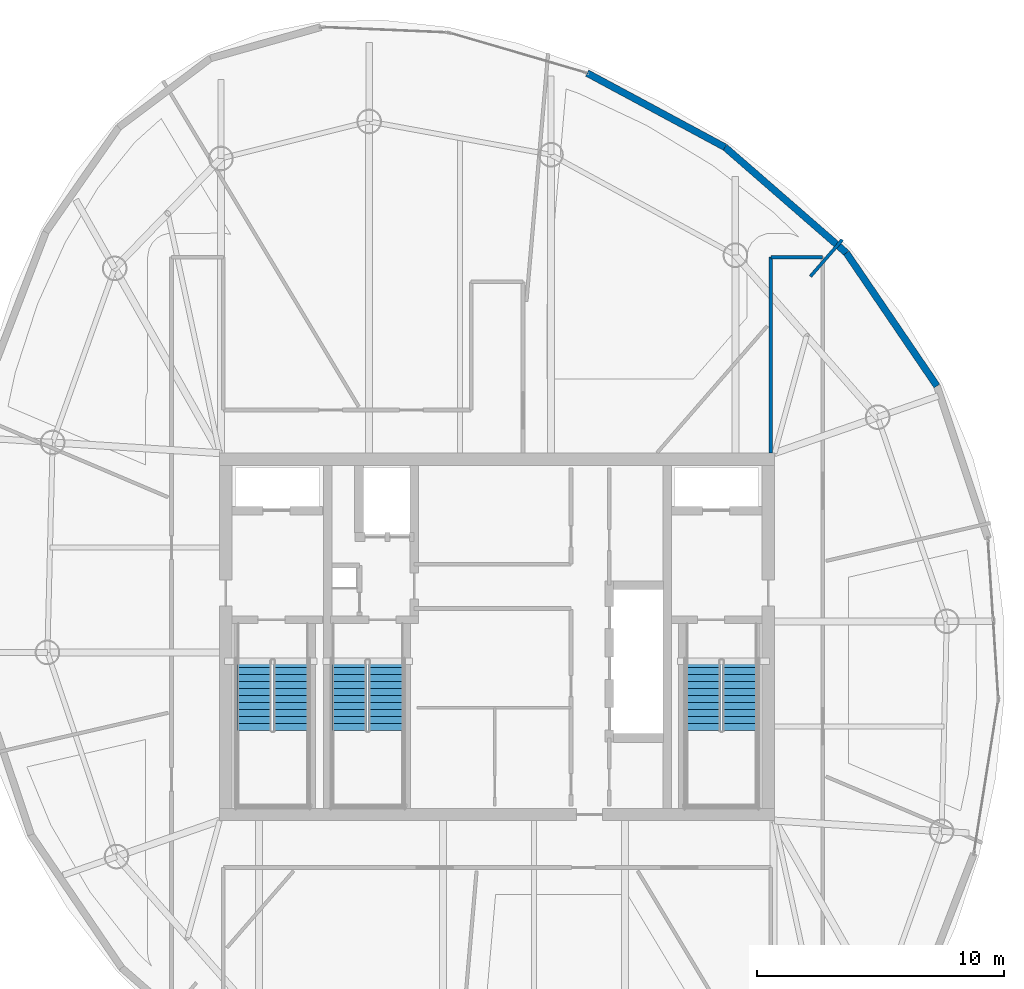
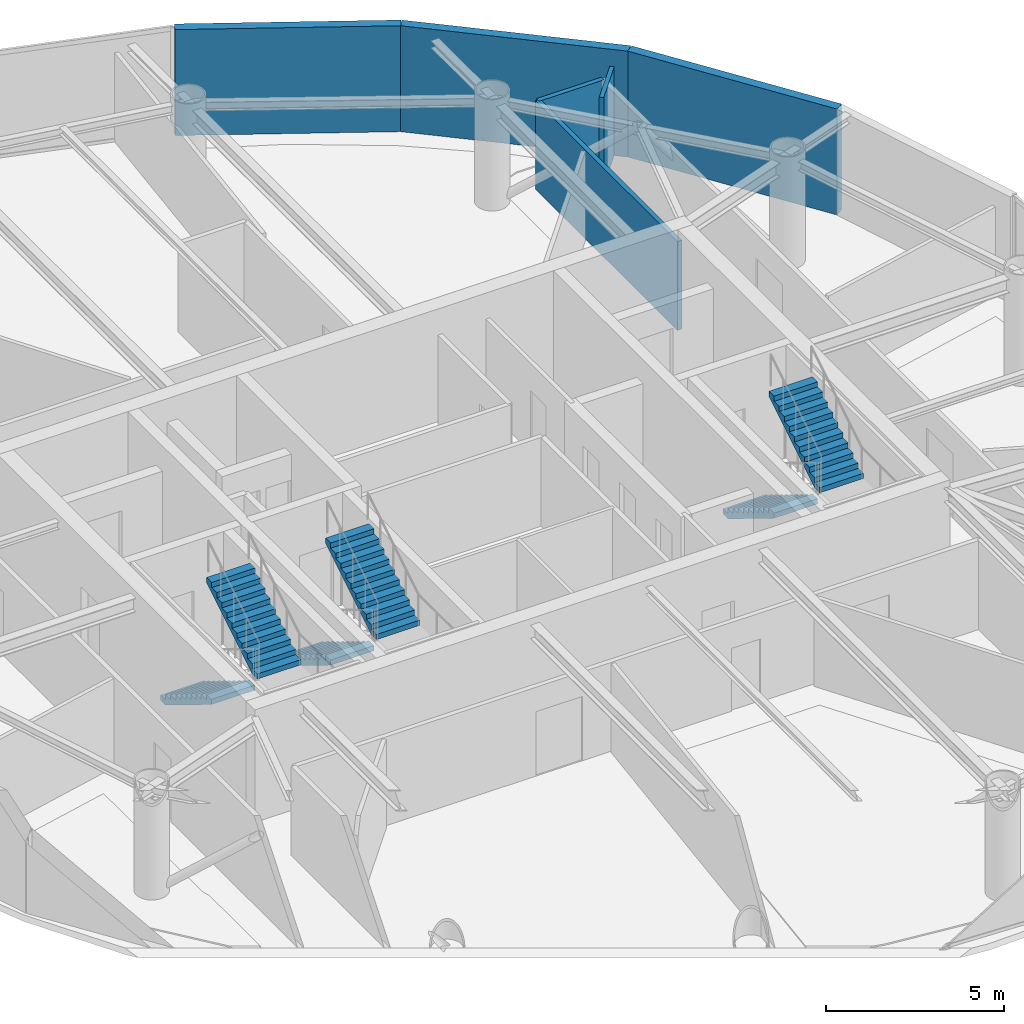
# One storey, part 15 of 18: 6 stair flights, 6 walls, 3 elements without a shape of their own.
"""IFC4 building model written with IfcOpenShell, lengths in metres."""

from ifc_helpers import new_model, si_unit, direction, frame, frame_2d, origin, place, context, subcontext, project, spatial, polyline, rectangle, outline, extrude, material, layer, layer_set, type_object, element, aggregate, save


model = new_model("IFC4")

# Units and contexts
model_context = context("Model", 3, precision=1e-05, world=origin(), true_north=direction((0.0, 1.0)))
body_context = subcontext(model_context, "Body", "Model", "MODEL_VIEW")
ifc_project = project(units=[si_unit("LENGTHUNIT", "METRE"), si_unit("AREAUNIT", "SQUARE_METRE"), si_unit("VOLUMEUNIT", "CUBIC_METRE"), si_unit("PLANEANGLEUNIT", "RADIAN"), si_unit("MASSUNIT", "GRAM", prefix="KILO")], contexts=[model_context])

# Site, building, storey
site_placement = place(None, origin())
site = spatial("IfcSite", under=ifc_project, at=site_placement, CompositionType="ELEMENT")
building_placement = place(site_placement, origin())
building = spatial("IfcBuilding", under=site, at=building_placement, Name="Bramvorn Convention Spire", CompositionType="ELEMENT")
storey_placement = place(building_placement, frame((0.0, 0.0, 288.25)))
storey = spatial("IfcBuildingStorey", under=building, at=storey_placement, Name="L73", CompositionType="ELEMENT", Elevation=288.25)

# Walls
ifc_material_1 = material(Name="Precast Concrete C40/50 with Bronze Terracotta Rainscreen", Category="masonry")
ifc_layer_1 = layer(ifc_material_1, 0.300048828125)
ifc_layer_set_1 = layer_set([ifc_layer_1], Name="Precast Concrete C40/50 with Bronze Terracotta Rainscreen - WL-EXT-BRONZE-300")
wall_type_1 = type_object("IfcWallType", Name="WL-EXT-BRONZE-300", PredefinedType="SOLIDWALL", material=ifc_layer_set_1)
wall_1_placement = place(storey_placement, frame((52.164306640625, 41.56982421875, 0.0), z_axis=(0.0, 0.0, 1.0), x_axis=(0.562539179248, -0.826770628295, 0.0)))
element("IfcWall", 1, at=wall_1_placement, inside=storey, type_object=wall_type_1, Name="L73 expressed bronze Gothic lancet pier wall 07", PredefinedType="SOLIDWALL", context=body_context, shape_type="SweptSolid", body=[
    extrude(rectangle(XDim=6.52685546875, YDim=0.280029296875, at=frame_2d((3.263427734375, 0.0))), origin(), (0.0, 0.0, 1.0), 3.625),
])
wall_2_placement = place(storey_placement, frame((47.2421875, 45.85498046875, 0.0), z_axis=(0.0, 0.0, 1.0), x_axis=(0.754222031982, -0.656619468546, 0.0)))
element("IfcWall", 2, at=wall_2_placement, inside=storey, type_object=wall_type_1, Name="L73 expressed bronze Gothic lancet pier wall 08", PredefinedType="SOLIDWALL", context=body_context, shape_type="SweptSolid", body=[
    extrude(rectangle(XDim=6.526123046875, YDim=0.280029296875, at=frame_2d((3.26318359375, 0.0))), origin(), (0.0, 0.0, 1.0), 3.625),
])
wall_3_placement = place(storey_placement, frame((41.65380859375, 48.860595703125, 0.0), z_axis=(0.0, 0.0, 1.0), x_axis=(0.880702024307, -0.473670713029, 0.0)))
element("IfcWall", 3, at=wall_3_placement, inside=storey, type_object=wall_type_1, Name="L73 expressed bronze Gothic lancet pier wall 09", PredefinedType="SOLIDWALL", context=body_context, shape_type="SweptSolid", body=[
    extrude(rectangle(XDim=6.345458984375, YDim=0.280029296875, at=frame_2d((3.1728515625, 0.0))), origin(), (0.0, 0.0, 1.0), 3.625),
])
ifc_material_2 = material(Name="Metal-Stud Demountable Office Partition", Category="gypsum")
ifc_layer_2 = layer(ifc_material_2, 0.1298828125)
ifc_layer_set_2 = layer_set([ifc_layer_2], Name="Metal-Stud Demountable Office Partition - WL-PART-130")
wall_type_2 = type_object("IfcWallType", Name="WL-PART-130", PredefinedType="PARTITIONING", material=ifc_layer_set_2)
wall_4_placement = place(storey_placement, frame((50.705810546875, 40.6162109375, 0.0), z_axis=(0.0, 0.0, 1.0), x_axis=(0.656009996887, 0.754752200384, 0.0)))
element("IfcWall", 4, at=wall_4_placement, inside=storey, type_object=wall_type_2, Name="L73 Tenant suite partition 2", PredefinedType="PARTITIONING", context=body_context, shape_type="SweptSolid", body=[
    extrude(rectangle(XDim=1.970703125, YDim=0.1298828125, at=frame_2d((0.9853515625, 0.0))), origin(), (0.0, 0.0, 1.0), 3.0400390625),
])
ifc_material_3 = material(Name="Acoustic Metal-Stud Tenant/Corridor Partition", Category="gypsum")
ifc_layer_3 = layer(ifc_material_3, 0.14990234375)
ifc_layer_set_3 = layer_set([ifc_layer_3], Name="Acoustic Metal-Stud Tenant/Corridor Partition - WL-PART-150")
wall_type_3 = type_object("IfcWallType", Name="WL-PART-150", PredefinedType="PARTITIONING", material=ifc_layer_set_3)
wall_5_placement = place(storey_placement, frame((49.10009765625, 33.449951171875, 0.0), z_axis=(0.0, 0.0, 1.0), x_axis=(0.0, 1.0, 0.0)))
element("IfcWall", 5, at=wall_5_placement, inside=storey, type_object=wall_type_3, Name="L73 East gallery NW wall", PredefinedType="PARTITIONING", context=body_context, shape_type="SweptSolid", body=[
    extrude(rectangle(XDim=7.949951171875, YDim=0.14990234375, at=frame_2d((3.97509765625, 0.0))), origin(), (0.0, 0.0, 1.0), 3.0400390625),
])
wall_6_placement = place(storey_placement, frame((49.10009765625, 41.39990234375, 0.0), z_axis=(0.0, 0.0, 1.0), x_axis=(1.0, 0.0, 0.0)))
element("IfcWall", 6, at=wall_6_placement, inside=storey, type_object=wall_type_3, Name="L73 East gallery north end", PredefinedType="PARTITIONING", context=body_context, shape_type="SweptSolid", body=[
    extrude(rectangle(XDim=2.099853515625, YDim=0.14990234375, at=frame_2d((1.0498046875, 0.0))), origin(), (0.0, 0.0, 1.0), 3.0400390625),
])

# Stair, stair flights
ifc_material_4 = material(Name="Concrete C40/50 Precast Stair", Category="concrete")
stair_type = type_object("IfcStairType", Name="ST-TOWER-1550", PredefinedType="HALF_TURN_STAIR", material=ifc_material_4)
stair_1_placement = place(storey_placement, origin())
stair_1 = element("IfcStair", 7, at=stair_1_placement, inside=storey, type_object=stair_type, Name="L73 Protected Exit Stair ST1", PredefinedType="HALF_TURN_STAIR")
ifc_material_5 = material(Name="Concrete C40/50 Precast Stair Flight", Category="concrete")
stair_flight_type = type_object("IfcStairFlightType", Name="STF-TOWER-1550", PredefinedType="STRAIGHT", material=ifc_material_5)
stair_flight_1_placement = place(storey_placement, frame((28.155029296875, 25.050048828125, 0.0), z_axis=(0.0, 0.0, 1.0), x_axis=(0.0, -1.0, 0.0)))
stair_flight_1 = element("IfcStairFlight", 8, at=stair_flight_1_placement, type_object=stair_flight_type, Name="ST1 flight 1", NumberOfRisers=11, NumberOfTreads=10, PredefinedType="STRAIGHT", RiserHeight=0.175, TreadLength=0.285, context=body_context, shape_type="SweptSolid", body=[
    extrude(outline(polyline([(0.0, 0.0), (0.0, 0.175048828125), (0.284912109375, 0.175048828125), (0.284912109375, 0.35009765625), (0.570068359375, 0.35009765625), (0.570068359375, 0.52490234375), (0.85498046875, 0.52490234375), (0.85498046875, 0.699951171875), (1.139892578125, 0.699951171875), (1.139892578125, 0.875), (1.425048828125, 0.875), (1.425048828125, 1.050048828125), (1.7099609375, 1.050048828125), (1.7099609375, 1.22509765625), (1.9951171875, 1.22509765625), (1.9951171875, 1.39990234375), (2.280029296875, 1.39990234375), (2.280029296875, 1.574951171875), (2.56494140625, 1.574951171875), (2.56494140625, 1.75), (2.85009765625, 1.75), (2.85009765625, 1.925048828125), (2.85009765625, 1.573974609375), (0.286376953125, 0.0), (0.0, 0.0)])), frame((0.0, 0.705078125, 0.0), z_axis=(0.0, -1.0, 0.0), x_axis=(1.0, 0.0, 0.0)), (0.0, 0.0, 1.0), 1.409912109375),
])
stair_flight_2_placement = place(storey_placement, frame((29.64501953125, 22.199951171875, 1.925048828125), z_axis=(0.0, 0.0, 1.0), x_axis=(0.0, 1.0, 0.0)))
stair_flight_2 = element("IfcStairFlight", 9, at=stair_flight_2_placement, type_object=stair_flight_type, Name="ST1 flight 2", NumberOfRisers=11, NumberOfTreads=10, PredefinedType="STRAIGHT", RiserHeight=0.175, TreadLength=0.285, context=body_context, shape_type="SweptSolid", body=[
    extrude(outline(polyline([(0.0, 0.0), (0.0, 0.175048828125), (0.284912109375, 0.175048828125), (0.284912109375, 0.35009765625), (0.570068359375, 0.35009765625), (0.570068359375, 0.52490234375), (0.85498046875, 0.52490234375), (0.85498046875, 0.699951171875), (1.139892578125, 0.699951171875), (1.139892578125, 0.875), (1.425048828125, 0.875), (1.425048828125, 1.050048828125), (1.7099609375, 1.050048828125), (1.7099609375, 1.22509765625), (1.9951171875, 1.22509765625), (1.9951171875, 1.39990234375), (2.280029296875, 1.39990234375), (2.280029296875, 1.574951171875), (2.56494140625, 1.574951171875), (2.56494140625, 1.75), (2.85009765625, 1.75), (2.85009765625, 1.925048828125), (2.85009765625, 1.573974609375), (0.286376953125, 0.0), (0.0, 0.0)])), frame((0.0, 0.705078125, 0.0), z_axis=(0.0, -1.0, 0.0), x_axis=(1.0, 0.0, 0.0)), (0.0, 0.0, 1.0), 1.409912109375),
])
aggregate(stair_1, [stair_flight_1, stair_flight_2])

stair_2_placement = place(storey_placement, origin())
stair_2 = element("IfcStair", 10, at=stair_2_placement, inside=storey, type_object=stair_type, Name="L73 Protected Exit Stair ST2", PredefinedType="HALF_TURN_STAIR")
stair_flight_3_placement = place(storey_placement, frame((46.35498046875, 25.050048828125, 0.0), z_axis=(0.0, 0.0, 1.0), x_axis=(0.0, -1.0, 0.0)))
stair_flight_3 = element("IfcStairFlight", 11, at=stair_flight_3_placement, type_object=stair_flight_type, Name="ST2 flight 1", NumberOfRisers=11, NumberOfTreads=10, PredefinedType="STRAIGHT", RiserHeight=0.175, TreadLength=0.285, context=body_context, shape_type="SweptSolid", body=[
    extrude(outline(polyline([(0.0, 0.0), (0.0, 0.175048828125), (0.284912109375, 0.175048828125), (0.284912109375, 0.35009765625), (0.570068359375, 0.35009765625), (0.570068359375, 0.52490234375), (0.85498046875, 0.52490234375), (0.85498046875, 0.699951171875), (1.139892578125, 0.699951171875), (1.139892578125, 0.875), (1.425048828125, 0.875), (1.425048828125, 1.050048828125), (1.7099609375, 1.050048828125), (1.7099609375, 1.22509765625), (1.9951171875, 1.22509765625), (1.9951171875, 1.39990234375), (2.280029296875, 1.39990234375), (2.280029296875, 1.574951171875), (2.56494140625, 1.574951171875), (2.56494140625, 1.75), (2.85009765625, 1.75), (2.85009765625, 1.925048828125), (2.85009765625, 1.573974609375), (0.286376953125, 0.0), (0.0, 0.0)])), frame((0.0, 0.705078125, 0.0), z_axis=(0.0, -1.0, 0.0), x_axis=(1.0, 0.0, 0.0)), (0.0, 0.0, 1.0), 1.409912109375),
])
stair_flight_4_placement = place(storey_placement, frame((47.844970703125, 22.199951171875, 1.925048828125), z_axis=(0.0, 0.0, 1.0), x_axis=(0.0, 1.0, 0.0)))
stair_flight_4 = element("IfcStairFlight", 12, at=stair_flight_4_placement, type_object=stair_flight_type, Name="ST2 flight 2", NumberOfRisers=11, NumberOfTreads=10, PredefinedType="STRAIGHT", RiserHeight=0.175, TreadLength=0.285, context=body_context, shape_type="SweptSolid", body=[
    extrude(outline(polyline([(0.0, 0.0), (0.0, 0.175048828125), (0.284912109375, 0.175048828125), (0.284912109375, 0.35009765625), (0.570068359375, 0.35009765625), (0.570068359375, 0.52490234375), (0.85498046875, 0.52490234375), (0.85498046875, 0.699951171875), (1.139892578125, 0.699951171875), (1.139892578125, 0.875), (1.425048828125, 0.875), (1.425048828125, 1.050048828125), (1.7099609375, 1.050048828125), (1.7099609375, 1.22509765625), (1.9951171875, 1.22509765625), (1.9951171875, 1.39990234375), (2.280029296875, 1.39990234375), (2.280029296875, 1.574951171875), (2.56494140625, 1.574951171875), (2.56494140625, 1.75), (2.85009765625, 1.75), (2.85009765625, 1.925048828125), (2.85009765625, 1.573974609375), (0.286376953125, 0.0), (0.0, 0.0)])), frame((0.0, 0.705078125, 0.0), z_axis=(0.0, -1.0, 0.0), x_axis=(1.0, 0.0, 0.0)), (0.0, 0.0, 1.0), 1.409912109375),
])
aggregate(stair_2, [stair_flight_3, stair_flight_4])

stair_3_placement = place(storey_placement, origin())
stair_3 = element("IfcStair", 13, at=stair_3_placement, inside=storey, type_object=stair_type, Name="L73 Protected Exit Stair ST3", PredefinedType="HALF_TURN_STAIR")
stair_flight_5_placement = place(storey_placement, frame((32.0048828125, 25.050048828125, 0.0), z_axis=(0.0, 0.0, 1.0), x_axis=(0.0, -1.0, 0.0)))
stair_flight_5 = element("IfcStairFlight", 14, at=stair_flight_5_placement, type_object=stair_flight_type, Name="ST3 flight 1", NumberOfRisers=11, NumberOfTreads=10, PredefinedType="STRAIGHT", RiserHeight=0.175, TreadLength=0.285, context=body_context, shape_type="SweptSolid", body=[
    extrude(outline(polyline([(0.0, 0.0), (0.0, 0.175048828125), (0.284912109375, 0.175048828125), (0.284912109375, 0.35009765625), (0.570068359375, 0.35009765625), (0.570068359375, 0.52490234375), (0.85498046875, 0.52490234375), (0.85498046875, 0.699951171875), (1.139892578125, 0.699951171875), (1.139892578125, 0.875), (1.425048828125, 0.875), (1.425048828125, 1.050048828125), (1.7099609375, 1.050048828125), (1.7099609375, 1.22509765625), (1.9951171875, 1.22509765625), (1.9951171875, 1.39990234375), (2.280029296875, 1.39990234375), (2.280029296875, 1.574951171875), (2.56494140625, 1.574951171875), (2.56494140625, 1.75), (2.85009765625, 1.75), (2.85009765625, 1.925048828125), (2.85009765625, 1.573974609375), (0.286376953125, 0.0), (0.0, 0.0)])), frame((0.0, 0.705078125, 0.0), z_axis=(0.0, -1.0, 0.0), x_axis=(1.0, 0.0, 0.0)), (0.0, 0.0, 1.0), 1.409912109375),
])
stair_flight_6_placement = place(storey_placement, frame((33.4951171875, 22.199951171875, 1.925048828125), z_axis=(0.0, 0.0, 1.0), x_axis=(0.0, 1.0, 0.0)))
stair_flight_6 = element("IfcStairFlight", 15, at=stair_flight_6_placement, type_object=stair_flight_type, Name="ST3 flight 2", NumberOfRisers=11, NumberOfTreads=10, PredefinedType="STRAIGHT", RiserHeight=0.175, TreadLength=0.285, context=body_context, shape_type="SweptSolid", body=[
    extrude(outline(polyline([(0.0, 0.0), (0.0, 0.175048828125), (0.284912109375, 0.175048828125), (0.284912109375, 0.35009765625), (0.570068359375, 0.35009765625), (0.570068359375, 0.52490234375), (0.85498046875, 0.52490234375), (0.85498046875, 0.699951171875), (1.139892578125, 0.699951171875), (1.139892578125, 0.875), (1.425048828125, 0.875), (1.425048828125, 1.050048828125), (1.7099609375, 1.050048828125), (1.7099609375, 1.22509765625), (1.9951171875, 1.22509765625), (1.9951171875, 1.39990234375), (2.280029296875, 1.39990234375), (2.280029296875, 1.574951171875), (2.56494140625, 1.574951171875), (2.56494140625, 1.75), (2.85009765625, 1.75), (2.85009765625, 1.925048828125), (2.85009765625, 1.573974609375), (0.286376953125, 0.0), (0.0, 0.0)])), frame((0.0, 0.705078125, 0.0), z_axis=(0.0, -1.0, 0.0), x_axis=(1.0, 0.0, 0.0)), (0.0, 0.0, 1.0), 1.409912109375),
])
aggregate(stair_3, [stair_flight_5, stair_flight_6])

save(model, "model.ifc")
